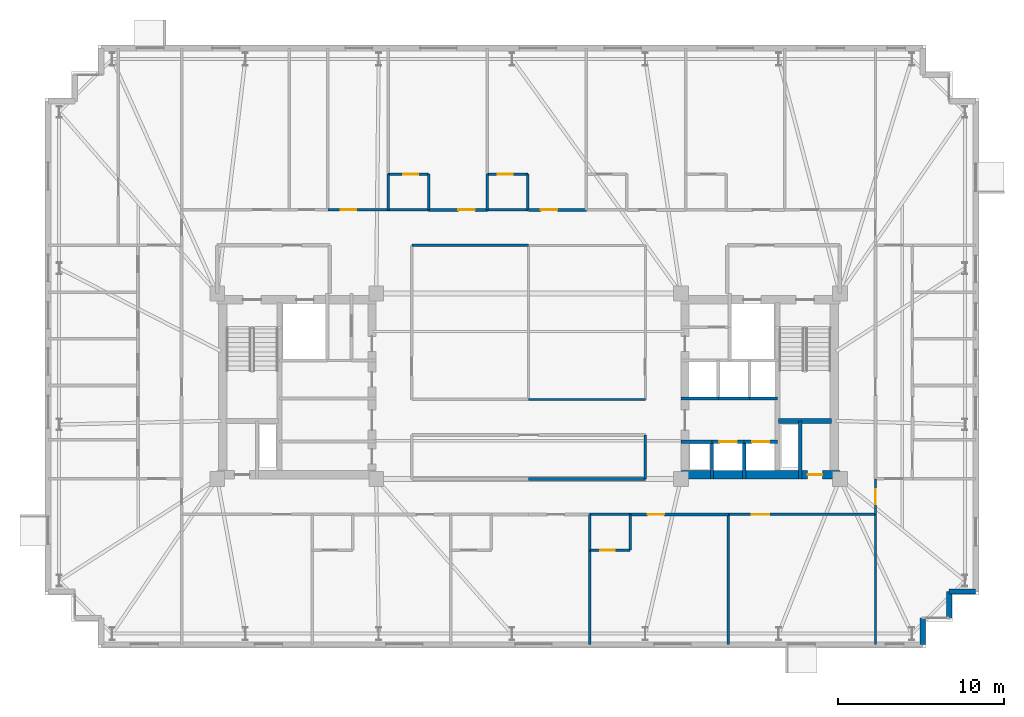
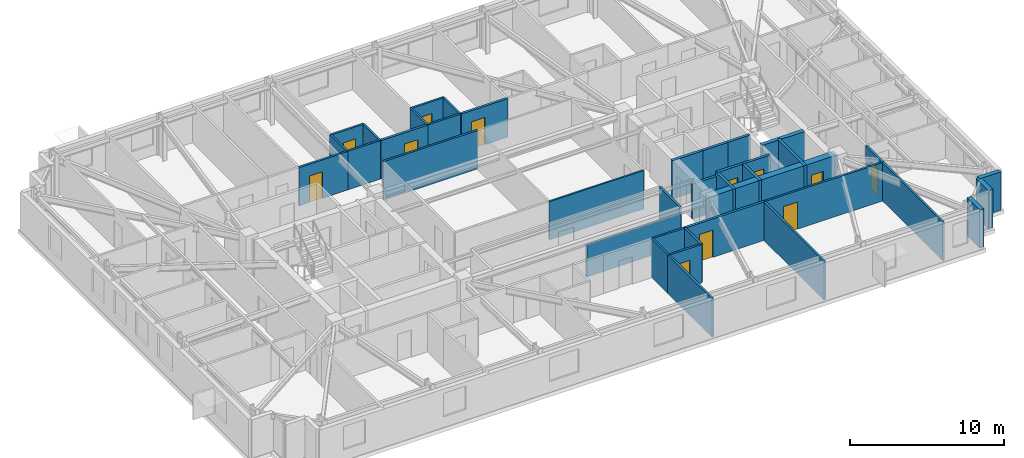
# One storey, part 13 of 18: 39 walls, 12 doors, 12 openings.
"""IFC4 building model written with IfcOpenShell, lengths in metres."""

from ifc_helpers import new_model, si_unit, direction, frame, frame_2d, origin, place, context, subcontext, project, spatial, rectangle, extrude, material, layer, layer_set, type_object, element, fill, save


model = new_model("IFC4")

# Units and contexts
model_context = context("Model", 3, precision=1e-05, world=origin(), true_north=direction((0.0, 1.0)))
body_context = subcontext(model_context, "Body", "Model", "MODEL_VIEW")
ifc_project = project(units=[si_unit("LENGTHUNIT", "METRE"), si_unit("AREAUNIT", "SQUARE_METRE"), si_unit("VOLUMEUNIT", "CUBIC_METRE"), si_unit("PLANEANGLEUNIT", "RADIAN"), si_unit("MASSUNIT", "GRAM", prefix="KILO")], contexts=[model_context])

# Site, building, storey
site_placement = place(None, origin())
site = spatial("IfcSite", under=ifc_project, at=site_placement, CompositionType="ELEMENT")
building_placement = place(site_placement, origin())
building = spatial("IfcBuilding", under=site, at=building_placement, Name="Qobustan Lattice House", CompositionType="ELEMENT")
storey_placement = place(building_placement, frame((0.0, 0.0, 134.35009765625)))
storey = spatial("IfcBuildingStorey", under=building, at=storey_placement, Name="L37", CompositionType="ELEMENT", Elevation=134.35009765625)

# Wall, opening, door
ifc_material_1 = material(Name="Concrete C50/60", Category="concrete")
ifc_layer_1 = layer(ifc_material_1, 0.5)
ifc_layer_set_1 = layer_set([ifc_layer_1], Name="Concrete C50/60")
wall_type_1 = type_object("IfcWallType", Name="WAL-CORE-500", PredefinedType="SHEAR", material=ifc_layer_set_1)
wall_1_placement = place(storey_placement, frame((9.199951171875, -5.35009765625, 0.0), z_axis=(0.0, 0.0, 1.0), x_axis=(1.0, 0.0, 0.0)))
wall_1 = element("IfcWall", 1, at=wall_1_placement, inside=storey, type_object=wall_type_1, Name="L37 split-core shear wall CE-S", PredefinedType="SHEAR", context=body_context, shape_type="SweptSolid", body=[
    extrude(rectangle(XDim=9.60009765625, YDim=0.5, at=frame_2d((4.800048828125, 0.0))), origin(), (0.0, 0.0, 1.0), 3.039794921875),
])
opening_1_placement = place(wall_1_placement, frame((7.64990234375, 0.0, 0.0)))
opening_1 = element("IfcOpeningElement", 2, at=opening_1_placement, cuts=wall_1, Name="Opening RD-01", PredefinedType="OPENING", context=body_context, shape_type="SweptSolid", body=[
    extrude(rectangle(XDim=0.89990234375, YDim=2.10009765625, at=frame_2d((0.449951171875, 1.050048828125))), frame((0.0, 0.260009765625, 0.0), z_axis=(0.0, -1.0, 0.0), x_axis=(1.0, 0.0, 0.0)), (0.0, 0.0, 1.0), 0.52001953125),
])
ifc_material_2 = material(Name="Persian walnut timber and steel frame door", Category="steel")
door_type_1 = type_object("IfcDoorType", Name="DOR-RISER-FD-900x2100", OperationType="NOTDEFINED", PredefinedType="DOOR", material=ifc_material_2)
door_1_placement = place(opening_1_placement, origin())
door_1 = element("IfcDoor", 3, at=door_1_placement, inside=storey, type_object=door_type_1, Name="L37 core service riser access door E", OperationType="SINGLE_SWING_RIGHT", OverallHeight=2.10009765625, OverallWidth=0.89990234375, PredefinedType="DOOR", context=body_context, shape_type="SweptSolid", body=[
    extrude(rectangle(XDim=0.89990234375, YDim=2.10009765625, at=frame_2d((0.449951171875, 1.050048828125))), frame((0.0, 0.02490234375, 0.0), z_axis=(0.0, -1.0, 0.0), x_axis=(1.0, 0.0, 0.0)), (0.0, 0.0, 1.0), 0.050048828125),
])
fill(opening_1, door_1)

# Walls
ifc_material_3 = material(Name="Concrete C50/60", Category="concrete")
ifc_layer_2 = layer(ifc_material_3, 0.280029296875)
ifc_layer_set_2 = layer_set([ifc_layer_2], Name="Concrete C50/60")
wall_type_2 = type_object("IfcWallType", Name="WAL-CORE-SPINE-280", PredefinedType="SHEAR", material=ifc_layer_set_2)
wall_2_placement = place(storey_placement, frame((15.10009765625, -2.110107421875, 0.0), z_axis=(0.0, 0.0, 1.0), x_axis=(1.0, 0.0, 0.0)))
element("IfcWall", 4, at=wall_2_placement, inside=storey, type_object=wall_type_2, Name="L37 split-core shear wall CE-ST", PredefinedType="SHEAR", context=body_context, shape_type="SweptSolid", body=[
    extrude(rectangle(XDim=3.179931640625, YDim=0.300048828125, at=frame_2d((1.58984375, 0.0))), origin(), (0.0, 0.0, 1.0), 3.039794921875),
])
ifc_material_4 = material(Name="Precast concrete C40/50", Category="concrete")
ifc_layer_3 = layer(ifc_material_4, 0.320068359375)
ifc_layer_set_3 = layer_set([ifc_layer_3], Name="Precast concrete C40/50")
wall_type_3 = type_object("IfcWallType", Name="WAL-EXT-STONE-320", PredefinedType="SOLIDWALL", material=ifc_layer_set_3)
for number, where, z_axis, x_axis, name in (
    (5, (27.0, -12.39990234375, 0.0), (0.0, 0.0, 1.0), (-1.0, 0.0, 0.0), "L37 exterior limestone-clad wall 16"),
    (6, (25.39990234375, -12.39990234375, 0.0), (0.0, 0.0, 1.0), (0.0, -1.0, 0.0), "L37 exterior limestone-clad wall 17"),
    (7, (23.800048828125, -14.0, 0.0), (0.0, 0.0, 1.0), (0.0, -1.0, 0.0), "L37 exterior limestone-clad wall 19"),
):
    element("IfcWall", number, at=place(storey_placement, frame(where, z_axis=z_axis, x_axis=x_axis)), inside=storey, type_object=wall_type_3, Name=name, PredefinedType="SOLIDWALL", context=body_context, shape_type="SweptSolid", body=[
        extrude(rectangle(XDim=1.60009765625, YDim=0.320068359375, at=frame_2d((0.800048828125, 0.0))), origin(), (0.0, 0.0, 1.0), 3.039794921875),
    ])

# Wall, opening, door
ifc_material_5 = material(Name="Gypsum fireboard acoustic partition", Category="gypsum")
ifc_layer_4 = layer(ifc_material_5, 0.179931640625)
ifc_layer_set_4 = layer_set([ifc_layer_4], Name="Gypsum fireboard acoustic partition")
wall_type_4 = type_object("IfcWallType", Name="WAL-FIRE-180", PredefinedType="PARTITIONING", material=ifc_layer_set_4)
wall_3_placement = place(storey_placement, frame((-6.029052734375, 10.64990234375, 0.0), z_axis=(0.0, 0.0, 1.0), x_axis=(1.0, 0.0, 0.0)))
wall_3 = element("IfcWall", 8, at=wall_3_placement, inside=storey, type_object=wall_type_4, Name="L37 interior partition 38", PredefinedType="PARTITIONING", context=body_context, shape_type="SweptSolid", body=[
    extrude(rectangle(XDim=3.5361328125, YDim=0.179931640625, at=frame_2d((1.76806640625, 0.0))), origin(), (0.0, 0.0, 1.0), 3.039794921875),
])
opening_2_placement = place(wall_3_placement, frame((1.783935546875, 0.0, 0.0)))
opening_2 = element("IfcOpeningElement", 9, at=opening_2_placement, cuts=wall_3, Name="Opening FD-02", PredefinedType="OPENING", context=body_context, shape_type="SweptSolid", body=[
    extrude(rectangle(XDim=1.0, YDim=2.14990234375, at=frame_2d((0.5, 1.074951171875))), frame((0.0, 0.099853515625, 0.0), z_axis=(0.0, -1.0, 0.0), x_axis=(1.0, 0.0, 0.0)), (0.0, 0.0, 1.0), 0.199951171875),
])
ifc_material_6 = material(Name="Persian walnut timber and steel frame door", Category="steel")
door_type_2 = type_object("IfcDoorType", Name="DOR-UNIT-FD-1000x2150", OperationType="NOTDEFINED", PredefinedType="DOOR", material=ifc_material_6)
door_2_placement = place(opening_2_placement, origin())
door_2 = element("IfcDoor", 10, at=door_2_placement, inside=storey, type_object=door_type_2, Name="L37 North-west floor corridor to Kitchenette and studio apartment L37-N3 door", OperationType="SINGLE_SWING_LEFT", OverallHeight=2.14990234375, OverallWidth=1.0, PredefinedType="DOOR", context=body_context, shape_type="SweptSolid", body=[
    extrude(rectangle(XDim=1.0, YDim=2.14990234375, at=frame_2d((0.5, 1.074951171875))), frame((0.0, 0.02490234375, 0.0), z_axis=(0.0, -1.0, 0.0), x_axis=(1.0, 0.0, 0.0)), (0.0, 0.0, 1.0), 0.050048828125),
])
fill(opening_2, door_2)

wall_4_placement = place(storey_placement, frame((0.0, 10.64990234375, 0.0), z_axis=(0.0, 0.0, 1.0), x_axis=(1.0, 0.0, 0.0)))
wall_4 = element("IfcWall", 11, at=wall_4_placement, inside=storey, type_object=wall_type_4, Name="L37 interior partition 43", PredefinedType="PARTITIONING", context=body_context, shape_type="SweptSolid", body=[
    extrude(rectangle(XDim=3.492919921875, YDim=0.179931640625, at=frame_2d((1.74658203125, 0.0))), origin(), (0.0, 0.0, 1.0), 3.039794921875),
])
opening_3_placement = place(wall_4_placement, frame((0.74658203125, 0.0, 0.0)))
opening_3 = element("IfcOpeningElement", 12, at=opening_3_placement, cuts=wall_4, Name="Opening FD-02", PredefinedType="OPENING", context=body_context, shape_type="SweptSolid", body=[
    extrude(rectangle(XDim=1.0, YDim=2.14990234375, at=frame_2d((0.5, 1.074951171875))), frame((0.0, 0.099853515625, 0.0), z_axis=(0.0, -1.0, 0.0), x_axis=(1.0, 0.0, 0.0)), (0.0, 0.0, 1.0), 0.199951171875),
])
door_3_placement = place(opening_3_placement, origin())
door_3 = element("IfcDoor", 13, at=door_3_placement, inside=storey, type_object=door_type_2, Name="L37 North-east floor corridor to Kitchenette and studio apartment L37-N4 door", OperationType="SINGLE_SWING_LEFT", OverallHeight=2.14990234375, OverallWidth=1.0, PredefinedType="DOOR", context=body_context, shape_type="SweptSolid", body=[
    extrude(rectangle(XDim=1.0, YDim=2.14990234375, at=frame_2d((0.5, 1.074951171875))), frame((0.0, 0.02490234375, 0.0), z_axis=(0.0, -1.0, 0.0), x_axis=(1.0, 0.0, 0.0)), (0.0, 0.0, 1.0), 0.050048828125),
])
fill(opening_3, door_3)

wall_5_placement = place(storey_placement, frame((12.070068359375, -7.75, 0.0), z_axis=(0.0, 0.0, 1.0), x_axis=(-1.0, 0.0, 0.0)))
wall_5 = element("IfcWall", 14, at=wall_5_placement, inside=storey, type_object=wall_type_4, Name="L37 interior partition 59", PredefinedType="PARTITIONING", context=body_context, shape_type="SweptSolid", body=[
    extrude(rectangle(XDim=5.93017578125, YDim=0.179931640625, at=frame_2d((2.965087890625, 0.0))), origin(), (0.0, 0.0, 1.0), 3.039794921875),
])
opening_4_placement = place(wall_5_placement, frame((3.87890625, 0.0, 0.0)))
opening_4 = element("IfcOpeningElement", 15, at=opening_4_placement, cuts=wall_5, Name="Opening FD-02", PredefinedType="OPENING", context=body_context, shape_type="SweptSolid", body=[
    extrude(rectangle(XDim=1.0, YDim=2.14990234375, at=frame_2d((0.5, 1.074951171875))), frame((0.0, 0.099853515625, 0.0), z_axis=(0.0, -1.0, 0.0), x_axis=(1.0, 0.0, 0.0)), (0.0, 0.0, 1.0), 0.199951171875),
])
door_4_placement = place(opening_4_placement, origin())
door_4 = element("IfcDoor", 16, at=door_4_placement, inside=storey, type_object=door_type_2, Name="L37 South-east floor corridor to Kitchenette and studio apartment L37-S4 door", OperationType="SINGLE_SWING_RIGHT", OverallHeight=2.14990234375, OverallWidth=1.0, PredefinedType="DOOR", context=body_context, shape_type="SweptSolid", body=[
    extrude(rectangle(XDim=1.0, YDim=2.14990234375, at=frame_2d((0.5, 1.074951171875))), frame((0.0, 0.02490234375, 0.0), z_axis=(0.0, -1.0, 0.0), x_axis=(1.0, 0.0, 0.0)), (0.0, 0.0, 1.0), 0.050048828125),
])
fill(opening_4, door_4)

# Wall
ifc_material_7 = material(Name="Lightweight acoustic stud partition", Category="gypsum")
ifc_layer_5 = layer(ifc_material_7, 0.125)
ifc_layer_set_5 = layer_set([ifc_layer_5], Name="Lightweight acoustic stud partition")
wall_type_5 = type_object("IfcWallType", Name="WAL-PART-125", PredefinedType="PARTITIONING", material=ifc_layer_set_5)
wall_6_placement = place(storey_placement, frame((0.0, -0.800048828125, 0.0), z_axis=(0.0, 0.0, 1.0), x_axis=(1.0, 0.0, 0.0)))
element("IfcWall", 17, at=wall_6_placement, inside=storey, type_object=wall_type_5, Name="L37 interior partition 66", PredefinedType="PARTITIONING", context=body_context, shape_type="SweptSolid", body=[
    extrude(rectangle(XDim=7.050048828125, YDim=0.125, at=frame_2d((3.52490234375, 0.0))), origin(), (0.0, 0.0, 1.0), 3.039794921875),
])

# Wall, opening, door
ifc_material_8 = material(Name="Acoustic twin-stud gypsum partition", Category="gypsum")
ifc_layer_6 = layer(ifc_material_8, 0.14990234375)
ifc_layer_set_6 = layer_set([ifc_layer_6], Name="Acoustic twin-stud gypsum partition")
wall_type_6 = type_object("IfcWallType", Name="WAL-PART-150", PredefinedType="PARTITIONING", material=ifc_layer_set_6)
wall_7_placement = place(storey_placement, frame((-12.114013671875, 10.64990234375, 0.0), z_axis=(0.0, 0.0, 1.0), x_axis=(1.0, 0.0, 0.0)))
wall_7 = element("IfcWall", 18, at=wall_7_placement, inside=storey, type_object=wall_type_6, Name="L37 interior partition 37", PredefinedType="PARTITIONING", context=body_context, shape_type="SweptSolid", body=[
    extrude(rectangle(XDim=3.635009765625, YDim=0.14990234375, at=frame_2d((1.8173828125, 0.0))), origin(), (0.0, 0.0, 1.0), 3.039794921875),
])
opening_5_placement = place(wall_7_placement, frame((0.7705078125, 0.0, 0.0)))
opening_5 = element("IfcOpeningElement", 19, at=opening_5_placement, cuts=wall_7, Name="Opening ID-01", PredefinedType="OPENING", context=body_context, shape_type="SweptSolid", body=[
    extrude(rectangle(XDim=0.949951171875, YDim=2.10009765625, at=frame_2d((0.47509765625, 1.050048828125))), frame((0.0, 0.0849609375, 0.0), z_axis=(0.0, -1.0, 0.0), x_axis=(1.0, 0.0, 0.0)), (0.0, 0.0, 1.0), 0.169921875),
])
ifc_material_9 = material(Name="Persian walnut timber and steel frame door", Category="steel")
door_type_3 = type_object("IfcDoorType", Name="DOR-ROOM-950x2100", OperationType="NOTDEFINED", PredefinedType="DOOR", material=ifc_material_9)
door_5_placement = place(opening_5_placement, origin())
door_5 = element("IfcDoor", 20, at=door_5_placement, inside=storey, type_object=door_type_3, Name="L37 North-west floor corridor to Laundry utility room door", OperationType="SINGLE_SWING_RIGHT", OverallHeight=2.10009765625, OverallWidth=0.949951171875, PredefinedType="DOOR", context=body_context, shape_type="SweptSolid", body=[
    extrude(rectangle(XDim=0.949951171875, YDim=2.10009765625, at=frame_2d((0.47509765625, 1.050048828125))), frame((0.0, 0.02490234375, 0.0), z_axis=(0.0, -1.0, 0.0), x_axis=(1.0, 0.0, 0.0)), (0.0, 0.0, 1.0), 0.050048828125),
])
fill(opening_5, door_5)

# Wall
wall_8_placement = place(storey_placement, frame((0.0, 8.5, 0.0), z_axis=(0.0, 0.0, 1.0), x_axis=(-1.0, 0.0, 0.0)))
element("IfcWall", 21, at=wall_8_placement, inside=storey, type_object=wall_type_6, Name="L37 interior partition 41", PredefinedType="PARTITIONING", context=body_context, shape_type="SweptSolid", body=[
    extrude(rectangle(XDim=7.050048828125, YDim=0.14990234375, at=frame_2d((3.52490234375, 0.0))), origin(), (0.0, 0.0, 1.0), 3.039794921875),
])

# Wall, opening, door
wall_9_placement = place(storey_placement, frame((20.949951171875, -5.60009765625, 0.0), z_axis=(0.0, 0.0, 1.0), x_axis=(0.0, -1.0, 0.0)))
wall_9 = element("IfcWall", 22, at=wall_9_placement, inside=storey, type_object=wall_type_6, Name="L37 interior partition 57", PredefinedType="PARTITIONING", context=body_context, shape_type="SweptSolid", body=[
    extrude(rectangle(XDim=2.14990234375, YDim=0.14990234375, at=frame_2d((1.074951171875, 0.0))), origin(), (0.0, 0.0, 1.0), 3.039794921875),
])
opening_6_placement = place(wall_9_placement, frame((0.625, 0.0, 0.0)))
opening_6 = element("IfcOpeningElement", 23, at=opening_6_placement, cuts=wall_9, Name="Opening WD-01", PredefinedType="OPENING", context=body_context, shape_type="SweptSolid", body=[
    extrude(rectangle(XDim=0.89990234375, YDim=2.10009765625, at=frame_2d((0.449951171875, 1.050048828125))), frame((0.0, 0.0849609375, 0.0), z_axis=(0.0, -1.0, 0.0), x_axis=(1.0, 0.0, 0.0)), (0.0, 0.0, 1.0), 0.169921875),
])
ifc_material_10 = material(Name="Persian walnut timber and steel frame door", Category="steel")
door_type_4 = type_object("IfcDoorType", Name="DOR-WET-900x2100", OperationType="NOTDEFINED", PredefinedType="DOOR", material=ifc_material_10)
door_6_placement = place(opening_6_placement, origin())
door_6 = element("IfcDoor", 24, at=door_6_placement, inside=storey, type_object=door_type_4, Name="L37 South-east floor corridor to Reading study room L37ES door", OperationType="SINGLE_SWING_RIGHT", OverallHeight=2.10009765625, OverallWidth=0.89990234375, PredefinedType="DOOR", context=body_context, shape_type="SweptSolid", body=[
    extrude(rectangle(XDim=0.89990234375, YDim=2.10009765625, at=frame_2d((0.449951171875, 1.050048828125))), frame((0.0, 0.02490234375, 0.0), z_axis=(0.0, -1.0, 0.0), x_axis=(1.0, 0.0, 0.0)), (0.0, 0.0, 1.0), 0.050048828125),
])
fill(opening_6, door_6)

wall_10_placement = place(storey_placement, frame((20.949951171875, -7.75, 0.0), z_axis=(0.0, 0.0, 1.0), x_axis=(-1.0, 0.0, 0.0)))
wall_10 = element("IfcWall", 25, at=wall_10_placement, inside=storey, type_object=wall_type_6, Name="L37 interior partition 61", PredefinedType="PARTITIONING", context=body_context, shape_type="SweptSolid", body=[
    extrude(rectangle(XDim=8.8798828125, YDim=0.14990234375, at=frame_2d((4.43994140625, 0.0))), origin(), (0.0, 0.0, 1.0), 3.039794921875),
])
opening_7_placement = place(wall_10_placement, frame((6.416259765625, 0.0, 0.0)))
opening_7 = element("IfcOpeningElement", 26, at=opening_7_placement, cuts=wall_10, Name="Opening ID-02", PredefinedType="OPENING", context=body_context, shape_type="SweptSolid", body=[
    extrude(rectangle(XDim=1.050048828125, YDim=2.14990234375, at=frame_2d((0.52490234375, 1.074951171875))), frame((0.0, 0.0849609375, 0.0), z_axis=(0.0, -1.0, 0.0), x_axis=(1.0, 0.0, 0.0)), (0.0, 0.0, 1.0), 0.169921875),
])
ifc_material_11 = material(Name="Persian walnut timber and steel frame door", Category="steel")
door_type_5 = type_object("IfcDoorType", Name="DOR-STUDY-1050x2150", OperationType="NOTDEFINED", PredefinedType="DOOR", material=ifc_material_11)
door_7_placement = place(opening_7_placement, origin())
door_7 = element("IfcDoor", 27, at=door_7_placement, inside=storey, type_object=door_type_5, Name="L37 South-east floor corridor to Group study room door", OperationType="SINGLE_SWING_LEFT", OverallHeight=2.14990234375, OverallWidth=1.050048828125, PredefinedType="DOOR", context=body_context, shape_type="SweptSolid", body=[
    extrude(rectangle(XDim=1.050048828125, YDim=2.14990234375, at=frame_2d((0.52490234375, 1.074951171875))), frame((0.0, 0.02490234375, 0.0), z_axis=(0.0, -1.0, 0.0), x_axis=(1.0, 0.0, 0.0)), (0.0, 0.0, 1.0), 0.050048828125),
])
fill(opening_7, door_7)

# Walls
wall_11_placement = place(storey_placement, frame((20.949951171875, -15.60009765625, 0.0), z_axis=(0.0, 0.0, 1.0), x_axis=(0.0, 1.0, 0.0)))
element("IfcWall", 28, at=wall_11_placement, inside=storey, type_object=wall_type_6, Name="L37 interior partition 99", PredefinedType="PARTITIONING", context=body_context, shape_type="SweptSolid", body=[
    extrude(rectangle(XDim=7.85009765625, YDim=0.14990234375, at=frame_2d((3.925048828125, 0.0))), origin(), (0.0, 0.0, 1.0), 3.039794921875),
])
wall_12_placement = place(storey_placement, frame((3.68994140625, -9.89990234375, 0.0), z_axis=(0.0, 0.0, 1.0), x_axis=(0.0, -1.0, 0.0)))
element("IfcWall", 29, at=wall_12_placement, inside=storey, type_object=wall_type_6, Name="L37 interior partition 131", PredefinedType="PARTITIONING", context=body_context, shape_type="SweptSolid", body=[
    extrude(rectangle(XDim=5.7001953125, YDim=0.14990234375, at=frame_2d((2.85009765625, 0.0))), origin(), (0.0, 0.0, 1.0), 3.039794921875),
])
wall_13_placement = place(storey_placement, frame((12.070068359375, -7.75, 0.0), z_axis=(0.0, 0.0, 1.0), x_axis=(0.0, -1.0, 0.0)))
element("IfcWall", 30, at=wall_13_placement, inside=storey, type_object=wall_type_6, Name="L37 interior partition 135", PredefinedType="PARTITIONING", context=body_context, shape_type="SweptSolid", body=[
    extrude(rectangle(XDim=7.85009765625, YDim=0.14990234375, at=frame_2d((3.925048828125, 0.0))), origin(), (0.0, 0.0, 1.0), 3.039794921875),
])
ifc_material_12 = material(Name="High-mass acoustic twin-stud partition", Category="gypsum")
ifc_layer_7 = layer(ifc_material_12, 0.1650390625)
ifc_layer_set_7 = layer_set([ifc_layer_7], Name="High-mass acoustic twin-stud partition")
wall_type_7 = type_object("IfcWallType", Name="WAL-PART-165", PredefinedType="PARTITIONING", material=ifc_layer_set_7)
wall_14_placement = place(storey_placement, frame((0.0, -5.60009765625, 0.0), z_axis=(0.0, 0.0, 1.0), x_axis=(1.0, 0.0, 0.0)))
element("IfcWall", 31, at=wall_14_placement, inside=storey, type_object=wall_type_7, Name="L37 interior partition 62", PredefinedType="PARTITIONING", context=body_context, shape_type="SweptSolid", body=[
    extrude(rectangle(XDim=7.050048828125, YDim=0.1650390625, at=frame_2d((3.52490234375, 0.0))), origin(), (0.0, 0.0, 1.0), 2.52490234375),
])
wall_15_placement = place(storey_placement, frame((7.050048828125, -5.60009765625, 0.0), z_axis=(0.0, 0.0, 1.0), x_axis=(0.0, 1.0, 0.0)))
element("IfcWall", 32, at=wall_15_placement, inside=storey, type_object=wall_type_7, Name="L37 interior partition 71", PredefinedType="PARTITIONING", context=body_context, shape_type="SweptSolid", body=[
    extrude(rectangle(XDim=2.650146484375, YDim=0.1650390625, at=frame_2d((1.3251953125, 0.0))), origin(), (0.0, 0.0, 1.0), 3.039794921875),
])
ifc_material_13 = material(Name="Concrete C40/50", Category="concrete")
ifc_layer_8 = layer(ifc_material_13, 0.199951171875)
ifc_layer_set_8 = layer_set([ifc_layer_8], Name="Concrete C40/50")
wall_type_8 = type_object("IfcWallType", Name="WAL-SHAFT-200", PredefinedType="PARTITIONING", material=ifc_layer_set_8)
wall_16_placement = place(storey_placement, frame((16.39990234375, -2.110107421875, 0.0), z_axis=(0.0, 0.0, 1.0), x_axis=(0.0, -1.0, 0.0)))
element("IfcWall", 33, at=wall_16_placement, inside=storey, type_object=wall_type_8, Name="L37 interior partition 15", PredefinedType="PARTITIONING", context=body_context, shape_type="SweptSolid", body=[
    extrude(rectangle(XDim=3.489990234375, YDim=0.199951171875, at=frame_2d((1.7451171875, 0.0))), origin(), (0.0, 0.0, 1.0), 3.039794921875),
])
wall_17_placement = place(storey_placement, frame((9.199951171875, -3.35009765625, 0.0), z_axis=(0.0, 0.0, 1.0), x_axis=(1.0, 0.0, 0.0)))
element("IfcWall", 34, at=wall_17_placement, inside=storey, type_object=wall_type_8, Name="L37 interior partition 23", PredefinedType="PARTITIONING", context=body_context, shape_type="SweptSolid", body=[
    extrude(rectangle(XDim=1.880126953125, YDim=0.199951171875, at=frame_2d((0.93994140625, 0.0))), origin(), (0.0, 0.0, 1.0), 2.7548828125),
])

# Wall, opening, door
wall_18_placement = place(storey_placement, frame((11.080078125, -3.35009765625, 0.0), z_axis=(0.0, 0.0, 1.0), x_axis=(1.0, 0.0, 0.0)))
wall_18 = element("IfcWall", 35, at=wall_18_placement, inside=storey, type_object=wall_type_8, Name="L37 interior partition 24", PredefinedType="PARTITIONING", context=body_context, shape_type="SweptSolid", body=[
    extrude(rectangle(XDim=1.93994140625, YDim=0.199951171875, at=frame_2d((0.969970703125, 0.0))), origin(), (0.0, 0.0, 1.0), 3.039794921875),
])
opening_8_placement = place(wall_18_placement, frame((0.445068359375, 0.0, 0.0)))
opening_8 = element("IfcOpeningElement", 36, at=opening_8_placement, cuts=wall_18, Name="Opening LD-01", PredefinedType="OPENING", context=body_context, shape_type="SweptSolid", body=[
    extrude(rectangle(XDim=1.050048828125, YDim=2.10009765625, at=frame_2d((0.52490234375, 1.050048828125))), frame((0.0, 0.10986328125, 0.0), z_axis=(0.0, -1.0, 0.0), x_axis=(1.0, 0.0, 0.0)), (0.0, 0.0, 1.0), 0.219970703125),
])
ifc_material_14 = material(Name="Persian walnut timber and steel frame door", Category="steel")
door_type_6 = type_object("IfcDoorType", Name="DOR-LIFT-LD-1050x2100", OperationType="NOTDEFINED", PredefinedType="DOOR", material=ifc_material_14)
door_8_placement = place(opening_8_placement, origin())
door_8 = element("IfcDoor", 37, at=door_8_placement, inside=storey, type_object=door_type_6, Name="L37 lift landing door", OperationType="DOUBLE_DOOR_SLIDING", OverallHeight=2.10009765625, OverallWidth=1.050048828125, PredefinedType="DOOR", context=body_context, shape_type="SweptSolid", body=[
    extrude(rectangle(XDim=1.050048828125, YDim=2.10009765625, at=frame_2d((0.52490234375, 1.050048828125))), frame((0.0, 0.02490234375, 0.0), z_axis=(0.0, -1.0, 0.0), x_axis=(1.0, 0.0, 0.0)), (0.0, 0.0, 1.0), 0.050048828125),
])
fill(opening_8, door_8)

wall_19_placement = place(storey_placement, frame((13.02001953125, -3.35009765625, 0.0), z_axis=(0.0, 0.0, 1.0), x_axis=(1.0, 0.0, 0.0)))
wall_19 = element("IfcWall", 38, at=wall_19_placement, inside=storey, type_object=wall_type_8, Name="L37 interior partition 25", PredefinedType="PARTITIONING", context=body_context, shape_type="SweptSolid", body=[
    extrude(rectangle(XDim=2.0, YDim=0.199951171875, at=frame_2d((1.0, 0.0))), origin(), (0.0, 0.0, 1.0), 3.039794921875),
])
opening_9_placement = place(wall_19_placement, frame((0.47509765625, 0.0, 0.0)))
opening_9 = element("IfcOpeningElement", 39, at=opening_9_placement, cuts=wall_19, Name="Opening LD-01", PredefinedType="OPENING", context=body_context, shape_type="SweptSolid", body=[
    extrude(rectangle(XDim=1.050048828125, YDim=2.10009765625, at=frame_2d((0.52490234375, 1.050048828125))), frame((0.0, 0.10986328125, 0.0), z_axis=(0.0, -1.0, 0.0), x_axis=(1.0, 0.0, 0.0)), (0.0, 0.0, 1.0), 0.219970703125),
])
door_9_placement = place(opening_9_placement, origin())
door_9 = element("IfcDoor", 40, at=door_9_placement, inside=storey, type_object=door_type_6, Name="L37 lift landing door", OperationType="DOUBLE_DOOR_SLIDING", OverallHeight=2.10009765625, OverallWidth=1.050048828125, PredefinedType="DOOR", context=body_context, shape_type="SweptSolid", body=[
    extrude(rectangle(XDim=1.050048828125, YDim=2.10009765625, at=frame_2d((0.52490234375, 1.050048828125))), frame((0.0, 0.02490234375, 0.0), z_axis=(0.0, -1.0, 0.0), x_axis=(1.0, 0.0, 0.0)), (0.0, 0.0, 1.0), 0.050048828125),
])
fill(opening_9, door_9)

# Walls
wall_20_placement = place(storey_placement, frame((11.4599609375, -0.75, 0.0), z_axis=(0.0, 0.0, 1.0), x_axis=(-1.0, 0.0, 0.0)))
element("IfcWall", 41, at=wall_20_placement, inside=storey, type_object=wall_type_8, Name="L37 interior partition 26", PredefinedType="PARTITIONING", context=body_context, shape_type="SweptSolid", body=[
    extrude(rectangle(XDim=2.260009765625, YDim=0.199951171875, at=frame_2d((1.1298828125, 0.0))), origin(), (0.0, 0.0, 1.0), 3.039794921875),
])
wall_21_placement = place(storey_placement, frame((13.340087890625, -0.75, 0.0), z_axis=(0.0, 0.0, 1.0), x_axis=(-1.0, 0.0, 0.0)))
element("IfcWall", 42, at=wall_21_placement, inside=storey, type_object=wall_type_8, Name="L37 interior partition 27", PredefinedType="PARTITIONING", context=body_context, shape_type="SweptSolid", body=[
    extrude(rectangle(XDim=1.880126953125, YDim=0.199951171875, at=frame_2d((0.93994140625, 0.0))), origin(), (0.0, 0.0, 1.0), 3.039794921875),
])
wall_22_placement = place(storey_placement, frame((15.02001953125, -0.75, 0.0), z_axis=(0.0, 0.0, 1.0), x_axis=(-1.0, 0.0, 0.0)))
element("IfcWall", 43, at=wall_22_placement, inside=storey, type_object=wall_type_8, Name="L37 interior partition 28", PredefinedType="PARTITIONING", context=body_context, shape_type="SweptSolid", body=[
    extrude(rectangle(XDim=1.679931640625, YDim=0.199951171875, at=frame_2d((0.83984375, 0.0))), origin(), (0.0, 0.0, 1.0), 3.039794921875),
])
for number, where, z_axis, x_axis, name in (
    (44, (11.080078125, -5.60009765625, 0.0), (0.0, 0.0, 1.0), (0.0, 1.0, 0.0), "L37 interior partition 30"),
    (45, (13.02001953125, -5.60009765625, 0.0), (0.0, 0.0, 1.0), (0.0, 1.0, 0.0), "L37 interior partition 31"),
):
    element("IfcWall", number, at=place(storey_placement, frame(where, z_axis=z_axis, x_axis=x_axis)), inside=storey, type_object=wall_type_8, Name=name, PredefinedType="PARTITIONING", context=body_context, shape_type="SweptSolid", body=[
        extrude(rectangle(XDim=2.25, YDim=0.199951171875, at=frame_2d((1.125, 0.0))), origin(), (0.0, 0.0, 1.0), 3.039794921875),
    ])
ifc_material_15 = material(Name="Moisture-resistant acoustic plumbing wall", Category="gypsum")
ifc_layer_9 = layer(ifc_material_15, 0.14990234375)
ifc_layer_set_9 = layer_set([ifc_layer_9], Name="Moisture-resistant acoustic plumbing wall")
wall_type_9 = type_object("IfcWallType", Name="WAL-WET-150", PredefinedType="PLUMBINGWALL", material=ifc_layer_set_9)
for number, where, z_axis, x_axis, name in (
    (46, (-8.47900390625, 10.64990234375, 0.0), (0.0, 0.0, 1.0), (1.0, 0.0, 0.0), "L37 interior partition 39"),
    (47, (-2.492919921875, 10.64990234375, 0.0), (0.0, 0.0, 1.0), (1.0, 0.0, 0.0), "L37 interior partition 40"),
    (48, (6.139892578125, -7.75, 0.0), (0.0, 0.0, 1.0), (-1.0, 0.0, 0.0), "L37 interior partition 60"),
):
    element("IfcWall", number, at=place(storey_placement, frame(where, z_axis=z_axis, x_axis=x_axis)), inside=storey, type_object=wall_type_9, Name=name, PredefinedType="PLUMBINGWALL", context=body_context, shape_type="SweptSolid", body=[
        extrude(rectangle(XDim=2.449951171875, YDim=0.14990234375, at=frame_2d((1.22509765625, 0.0))), origin(), (0.0, 0.0, 1.0), 3.039794921875),
    ])
wall_23_placement = place(storey_placement, frame((-8.47900390625, 12.800048828125, 0.0), z_axis=(0.0, 0.0, 1.0), x_axis=(0.0, -1.0, 0.0)))
element("IfcWall", 49, at=wall_23_placement, inside=storey, type_object=wall_type_9, Name="L37 interior partition 107", PredefinedType="PLUMBINGWALL", context=body_context, shape_type="SweptSolid", body=[
    extrude(rectangle(XDim=2.150146484375, YDim=0.14990234375, at=frame_2d((1.0751953125, 0.0))), origin(), (0.0, 0.0, 1.0), 3.039794921875),
])

# Wall, opening, door
wall_24_placement = place(storey_placement, frame((-6.029052734375, 12.800048828125, 0.0), z_axis=(0.0, 0.0, 1.0), x_axis=(-1.0, 0.0, 0.0)))
wall_24 = element("IfcWall", 50, at=wall_24_placement, inside=storey, type_object=wall_type_9, Name="L37 interior partition 108", PredefinedType="PLUMBINGWALL", context=body_context, shape_type="SweptSolid", body=[
    extrude(rectangle(XDim=2.449951171875, YDim=0.14990234375, at=frame_2d((1.22509765625, 0.0))), origin(), (0.0, 0.0, 1.0), 3.039794921875),
])
opening_10_placement = place(wall_24_placement, frame((0.628662109375, 0.0, 0.0)))
opening_10 = element("IfcOpeningElement", 51, at=opening_10_placement, cuts=wall_24, Name="Opening WD-01", PredefinedType="OPENING", context=body_context, shape_type="SweptSolid", body=[
    extrude(rectangle(XDim=0.89990234375, YDim=2.10009765625, at=frame_2d((0.449951171875, 1.050048828125))), frame((0.0, 0.0849609375, 0.0), z_axis=(0.0, -1.0, 0.0), x_axis=(1.0, 0.0, 0.0)), (0.0, 0.0, 1.0), 0.169921875),
])
door_10_placement = place(opening_10_placement, origin())
door_10 = element("IfcDoor", 52, at=door_10_placement, inside=storey, type_object=door_type_4, Name="L37 Kitchenette and studio apartment L37-N3 to En-suite bathroom L37-N3 door", OperationType="SINGLE_SWING_RIGHT", OverallHeight=2.10009765625, OverallWidth=0.89990234375, PredefinedType="DOOR", context=body_context, shape_type="SweptSolid", body=[
    extrude(rectangle(XDim=0.89990234375, YDim=2.10009765625, at=frame_2d((0.449951171875, 1.050048828125))), frame((0.0, 0.02490234375, 0.0), z_axis=(0.0, -1.0, 0.0), x_axis=(1.0, 0.0, 0.0)), (0.0, 0.0, 1.0), 0.050048828125),
])
fill(opening_10, door_10)

# Walls
for number, where, z_axis, x_axis, name in (
    (53, (-6.029052734375, 10.64990234375, 0.0), (0.0, 0.0, 1.0), (0.0, 1.0, 0.0), "L37 interior partition 109"),
    (54, (-2.492919921875, 12.800048828125, 0.0), (0.0, 0.0, 1.0), (0.0, -1.0, 0.0), "L37 interior partition 111"),
):
    element("IfcWall", number, at=place(storey_placement, frame(where, z_axis=z_axis, x_axis=x_axis)), inside=storey, type_object=wall_type_9, Name=name, PredefinedType="PLUMBINGWALL", context=body_context, shape_type="SweptSolid", body=[
        extrude(rectangle(XDim=2.150146484375, YDim=0.14990234375, at=frame_2d((1.0751953125, 0.0))), origin(), (0.0, 0.0, 1.0), 3.039794921875),
    ])

# Wall, opening, door
wall_25_placement = place(storey_placement, frame((-0.04296875, 12.800048828125, 0.0), z_axis=(0.0, 0.0, 1.0), x_axis=(-1.0, 0.0, 0.0)))
wall_25 = element("IfcWall", 55, at=wall_25_placement, inside=storey, type_object=wall_type_9, Name="L37 interior partition 112", PredefinedType="PLUMBINGWALL", context=body_context, shape_type="SweptSolid", body=[
    extrude(rectangle(XDim=2.449951171875, YDim=0.14990234375, at=frame_2d((1.22509765625, 0.0))), origin(), (0.0, 0.0, 1.0), 3.039794921875),
])
opening_11_placement = place(wall_25_placement, frame((0.921142578125, 0.0, 0.0)))
opening_11 = element("IfcOpeningElement", 56, at=opening_11_placement, cuts=wall_25, Name="Opening WD-01", PredefinedType="OPENING", context=body_context, shape_type="SweptSolid", body=[
    extrude(rectangle(XDim=0.89990234375, YDim=2.10009765625, at=frame_2d((0.449951171875, 1.050048828125))), frame((0.0, 0.0849609375, 0.0), z_axis=(0.0, -1.0, 0.0), x_axis=(1.0, 0.0, 0.0)), (0.0, 0.0, 1.0), 0.169921875),
])
door_11_placement = place(opening_11_placement, origin())
door_11 = element("IfcDoor", 57, at=door_11_placement, inside=storey, type_object=door_type_4, Name="L37 Kitchenette and studio apartment L37-N4 to En-suite bathroom L37-N4 door", OperationType="SINGLE_SWING_LEFT", OverallHeight=2.10009765625, OverallWidth=0.89990234375, PredefinedType="DOOR", context=body_context, shape_type="SweptSolid", body=[
    extrude(rectangle(XDim=0.89990234375, YDim=2.10009765625, at=frame_2d((0.449951171875, 1.050048828125))), frame((0.0, 0.02490234375, 0.0), z_axis=(0.0, -1.0, 0.0), x_axis=(1.0, 0.0, 0.0)), (0.0, 0.0, 1.0), 0.050048828125),
])
fill(opening_11, door_11)

# Walls
wall_26_placement = place(storey_placement, frame((-0.04296875, 10.64990234375, 0.0), z_axis=(0.0, 0.0, 1.0), x_axis=(0.0, 1.0, 0.0)))
element("IfcWall", 58, at=wall_26_placement, inside=storey, type_object=wall_type_9, Name="L37 interior partition 113", PredefinedType="PLUMBINGWALL", context=body_context, shape_type="SweptSolid", body=[
    extrude(rectangle(XDim=2.150146484375, YDim=0.14990234375, at=frame_2d((1.0751953125, 0.0))), origin(), (0.0, 0.0, 1.0), 3.039794921875),
])
wall_27_placement = place(storey_placement, frame((3.68994140625, -7.75, 0.0), z_axis=(0.0, 0.0, 1.0), x_axis=(0.0, -1.0, 0.0)))
element("IfcWall", 59, at=wall_27_placement, inside=storey, type_object=wall_type_9, Name="L37 interior partition 132", PredefinedType="PLUMBINGWALL", context=body_context, shape_type="SweptSolid", body=[
    extrude(rectangle(XDim=2.14990234375, YDim=0.14990234375, at=frame_2d((1.074951171875, 0.0))), origin(), (0.0, 0.0, 1.0), 3.039794921875),
])

# Wall, opening, door
wall_28_placement = place(storey_placement, frame((3.68994140625, -9.89990234375, 0.0), z_axis=(0.0, 0.0, 1.0), x_axis=(1.0, 0.0, 0.0)))
wall_28 = element("IfcWall", 60, at=wall_28_placement, inside=storey, type_object=wall_type_9, Name="L37 interior partition 133", PredefinedType="PLUMBINGWALL", context=body_context, shape_type="SweptSolid", body=[
    extrude(rectangle(XDim=2.449951171875, YDim=0.14990234375, at=frame_2d((1.22509765625, 0.0))), origin(), (0.0, 0.0, 1.0), 3.039794921875),
])
opening_12_placement = place(wall_28_placement, frame((0.628662109375, 0.0, 0.0)))
opening_12 = element("IfcOpeningElement", 61, at=opening_12_placement, cuts=wall_28, Name="Opening WD-01", PredefinedType="OPENING", context=body_context, shape_type="SweptSolid", body=[
    extrude(rectangle(XDim=0.89990234375, YDim=2.10009765625, at=frame_2d((0.449951171875, 1.050048828125))), frame((0.0, 0.0849609375, 0.0), z_axis=(0.0, -1.0, 0.0), x_axis=(1.0, 0.0, 0.0)), (0.0, 0.0, 1.0), 0.169921875),
])
door_12_placement = place(opening_12_placement, origin())
door_12 = element("IfcDoor", 62, at=door_12_placement, inside=storey, type_object=door_type_4, Name="L37 Kitchenette and studio apartment L37-S4 to En-suite bathroom L37-S4 door", OperationType="SINGLE_SWING_RIGHT", OverallHeight=2.10009765625, OverallWidth=0.89990234375, PredefinedType="DOOR", context=body_context, shape_type="SweptSolid", body=[
    extrude(rectangle(XDim=0.89990234375, YDim=2.10009765625, at=frame_2d((0.449951171875, 1.050048828125))), frame((0.0, 0.02490234375, 0.0), z_axis=(0.0, -1.0, 0.0), x_axis=(1.0, 0.0, 0.0)), (0.0, 0.0, 1.0), 0.050048828125),
])
fill(opening_12, door_12)

# Wall
wall_29_placement = place(storey_placement, frame((6.139892578125, -9.89990234375, 0.0), z_axis=(0.0, 0.0, 1.0), x_axis=(0.0, 1.0, 0.0)))
element("IfcWall", 63, at=wall_29_placement, inside=storey, type_object=wall_type_9, Name="L37 interior partition 134", PredefinedType="PLUMBINGWALL", context=body_context, shape_type="SweptSolid", body=[
    extrude(rectangle(XDim=2.14990234375, YDim=0.14990234375, at=frame_2d((1.074951171875, 0.0))), origin(), (0.0, 0.0, 1.0), 3.039794921875),
])

save(model, "model.ifc")
